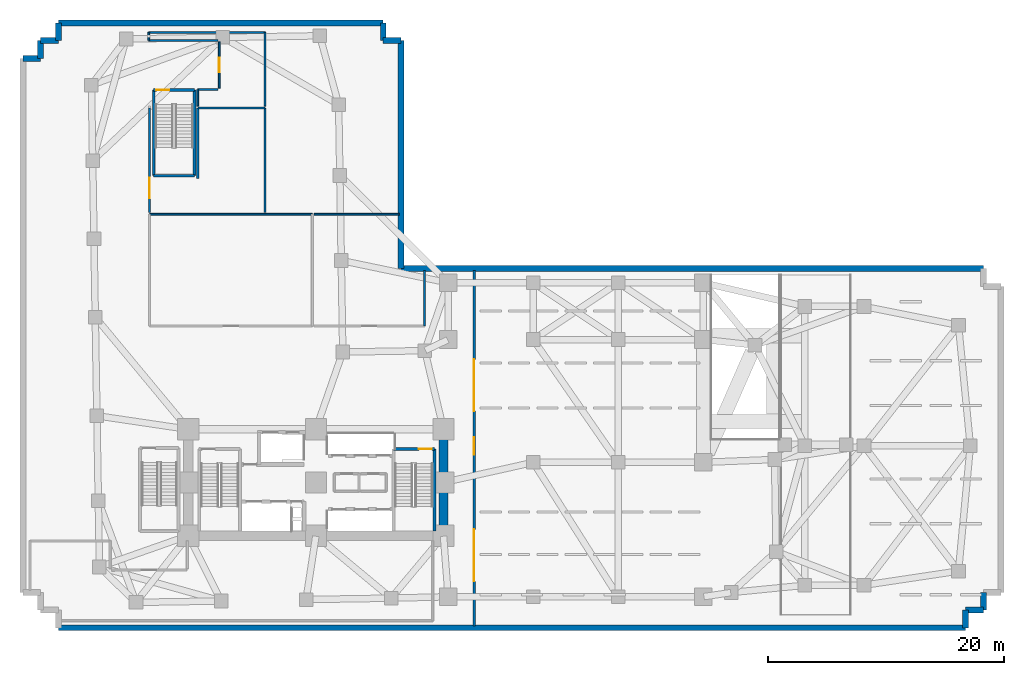
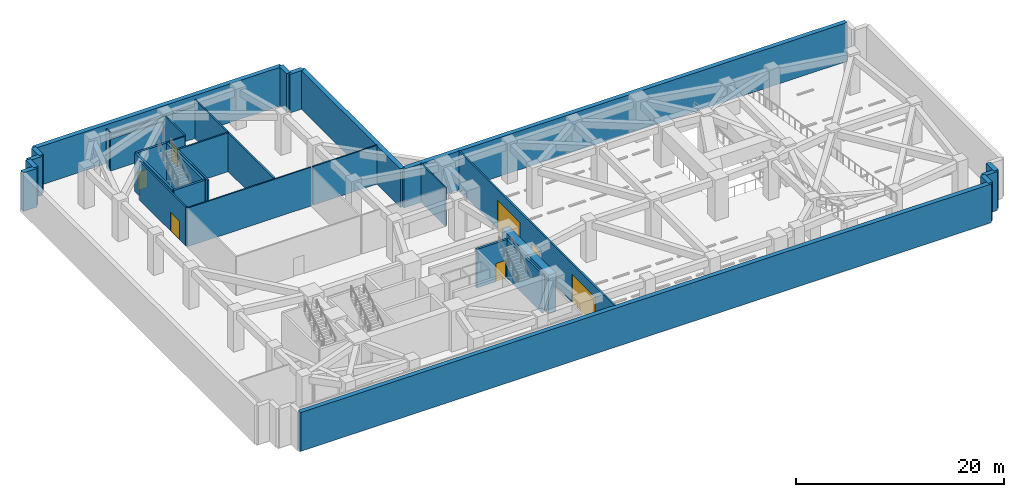
# One storey, part 6 of 11: 35 walls, 7 doors, 7 openings.
"""IFC4 building model written with IfcOpenShell, lengths in metres."""

from ifc_helpers import new_model, si_unit, direction, frame, frame_2d, origin, place, context, subcontext, project, spatial, rectangle, extrude, material, layer, layer_set, type_object, element, fill, save


model = new_model("IFC4")

# Units and contexts
model_context = context("Model", 3, precision=1e-05, world=origin(), true_north=direction((0.0, 1.0)))
body_context = subcontext(model_context, "Body", "Model", "MODEL_VIEW")
ifc_project = project(units=[si_unit("LENGTHUNIT", "METRE"), si_unit("AREAUNIT", "SQUARE_METRE"), si_unit("VOLUMEUNIT", "CUBIC_METRE"), si_unit("PLANEANGLEUNIT", "RADIAN"), si_unit("MASSUNIT", "GRAM", prefix="KILO")], contexts=[model_context])

# Site, building, storey
site_placement = place(None, origin())
site = spatial("IfcSite", under=ifc_project, at=site_placement, CompositionType="ELEMENT")
building_placement = place(site_placement, origin())
building = spatial("IfcBuilding", under=site, at=building_placement, Name="Gaonmaruhae Medical Tower", CompositionType="ELEMENT")
storey_placement = place(building_placement, frame((0.0, 0.0, -4.800048828125)))
storey = spatial("IfcBuildingStorey", under=building, at=storey_placement, Name="B01", CompositionType="ELEMENT", Elevation=-4.800048828125)

# Walls
ifc_material_1 = material(Name="Concrete C60/75", Category="concrete")
ifc_layer_1 = layer(ifc_material_1, 0.800048828125)
ifc_layer_set_1 = layer_set([ifc_layer_1], Name="Concrete C60/75")
wall_type_1 = type_object("IfcWallType", Name="CW-800 Lower Core Shear Wall", PredefinedType="SHEAR", material=ifc_layer_set_1)
wall_1_placement = place(storey_placement, frame((35.60009765625, 7.800048828125, 0.0), z_axis=(0.0, 0.0, 1.0), x_axis=(0.0, 1.0, 0.0)))
element("IfcWall", 1, at=wall_1_placement, inside=storey, type_object=wall_type_1, Name="B01 Core Shear Wall CSW-E1", PredefinedType="SHEAR", context=body_context, shape_type="SweptSolid", body=[
    extrude(rectangle(XDim=9.0, YDim=0.800048828125, at=frame_2d((4.5, 0.0))), origin(), (0.0, 0.0, 1.0), 4.550048828125),
])
ifc_material_2 = material(Name="Gypsum board partition", Category="gypsum")
ifc_layer_2 = layer(ifc_material_2, 0.14990234375)
ifc_layer_set_2 = layer_set([ifc_layer_2], Name="Gypsum board partition")
wall_type_2 = type_object("IfcWallType", Name="PW-150 Rated Clinical Corridor Partition", PredefinedType="PARTITIONING", material=ifc_layer_set_2)
wall_2_placement = place(storey_placement, frame((10.719970703125, 35.0, 0.0), z_axis=(0.0, 0.0, 1.0), x_axis=(1.0, 0.0, 0.0)))
element("IfcWall", 2, at=wall_2_placement, inside=storey, type_object=wall_type_2, Name="B01 Interior Partition B01-CSSD-11", PredefinedType="PARTITIONING", context=body_context, shape_type="SweptSolid", body=[
    extrude(rectangle(XDim=13.780029296875, YDim=0.14990234375, at=frame_2d((6.89013671875, 0.0))), origin(), (0.0, 0.0, 1.0), 4.550048828125),
])
wall_3_placement = place(storey_placement, frame((34.0, 30.239990234375, 0.0), z_axis=(0.0, 0.0, 1.0), x_axis=(0.0, -1.0, 0.0)))
element("IfcWall", 3, at=wall_3_placement, inside=storey, type_object=wall_type_2, Name="B01 Interior Partition B01-PHRM-12", PredefinedType="PARTITIONING", context=body_context, shape_type="SweptSolid", body=[
    extrude(rectangle(XDim=4.68994140625, YDim=0.14990234375, at=frame_2d((2.344970703125, 0.0))), origin(), (0.0, 0.0, 1.0), 4.550048828125),
])
wall_4_placement = place(storey_placement, frame((24.64990234375, 35.0, 0.0), z_axis=(0.0, 0.0, 1.0), x_axis=(1.0, 0.0, 0.0)))
element("IfcWall", 4, at=wall_4_placement, inside=storey, type_object=wall_type_2, Name="B01 Interior Partition B01-PHRM-14", PredefinedType="PARTITIONING", context=body_context, shape_type="SweptSolid", body=[
    extrude(rectangle(XDim=7.190185546875, YDim=0.14990234375, at=frame_2d((3.59521484375, 0.0))), origin(), (0.0, 0.0, 1.0), 4.550048828125),
])

# Wall, opening, door
wall_5_placement = place(storey_placement, frame((16.6201171875, 45.679931640625, 0.0), z_axis=(0.0, 0.0, 1.0), x_axis=(0.0, 1.0, 0.0)))
wall_5 = element("IfcWall", 5, at=wall_5_placement, inside=storey, type_object=wall_type_2, Name="B01 Interior Partition B01-MORG-19", PredefinedType="PARTITIONING", context=body_context, shape_type="SweptSolid", body=[
    extrude(rectangle(XDim=3.920166015625, YDim=0.14990234375, at=frame_2d((1.9599609375, 0.0))), origin(), (0.0, 0.0, 1.0), 4.550048828125),
])
opening_1_placement = place(wall_5_placement, frame((1.360107421875, 0.0, 0.0)))
opening_1 = element("IfcOpeningElement", 6, at=opening_1_placement, cuts=wall_5, Name="Opening CD-02", PredefinedType="OPENING", context=body_context, shape_type="SweptSolid", body=[
    extrude(rectangle(XDim=1.199951171875, YDim=2.14990234375, at=frame_2d((0.60009765625, 1.074951171875))), frame((0.0, 0.0849609375, 0.0), z_axis=(0.0, -1.0, 0.0), x_axis=(1.0, 0.0, 0.0)), (0.0, 0.0, 1.0), 0.169921875),
])
ifc_material_3 = material(Name="Antimicrobial laminate timber fire door", Category="wood")
door_type_1 = type_object("IfcDoorType", Name="CD-02 Clinical Treatment & Procedure Door 1200x2150", OperationType="NOTDEFINED", PredefinedType="DOOR", material=ifc_material_3)
door_1_placement = place(opening_1_placement, origin())
door_1 = element("IfcDoor", 7, at=door_1_placement, inside=storey, type_object=door_type_1, Name="B01 Hospital Pathology Support Department Door", OperationType="SINGLE_SWING_LEFT", OverallHeight=2.14990234375, OverallWidth=1.199951171875, PredefinedType="DOOR", context=body_context, shape_type="SweptSolid", body=[
    extrude(rectangle(XDim=1.199951171875, YDim=2.14990234375, at=frame_2d((0.60009765625, 1.074951171875))), frame((0.0, 0.02490234375, 0.0), z_axis=(0.0, -1.0, 0.0), x_axis=(1.0, 0.0, 0.0)), (0.0, 0.0, 1.0), 0.050048828125),
])
fill(opening_1, door_1)

# Walls
wall_6_placement = place(storey_placement, frame((16.5, 49.719970703125, 0.0), z_axis=(0.0, 0.0, 1.0), x_axis=(-1.0, 0.0, 0.0)))
element("IfcWall", 8, at=wall_6_placement, inside=storey, type_object=wall_type_2, Name="B01 Interior Partition B01-MORG-20", PredefinedType="PARTITIONING", context=body_context, shape_type="SweptSolid", body=[
    extrude(rectangle(XDim=5.85009765625, YDim=0.14990234375, at=frame_2d((2.925048828125, 0.0))), origin(), (0.0, 0.0, 1.0), 3.735107421875),
])
wall_7_placement = place(storey_placement, frame((10.64990234375, 49.719970703125, 0.0), z_axis=(0.0, 0.0, 1.0), x_axis=(0.0, 1.0, 0.0)))
element("IfcWall", 9, at=wall_7_placement, inside=storey, type_object=wall_type_2, Name="B01 Interior Partition B01-MORG-21", PredefinedType="PARTITIONING", context=body_context, shape_type="SweptSolid", body=[
    extrude(rectangle(XDim=0.679931640625, YDim=0.14990234375, at=frame_2d((0.33984375, 0.0))), origin(), (0.0, 0.0, 1.0), 4.550048828125),
])
wall_8_placement = place(storey_placement, frame((10.64990234375, 50.39990234375, 0.0), z_axis=(0.0, 0.0, 1.0), x_axis=(1.0, 0.0, 0.0)))
element("IfcWall", 10, at=wall_8_placement, inside=storey, type_object=wall_type_2, Name="B01 Interior Partition B01-MORG-22", PredefinedType="PARTITIONING", context=body_context, shape_type="SweptSolid", body=[
    extrude(rectangle(XDim=9.85009765625, YDim=0.14990234375, at=frame_2d((4.925048828125, 0.0))), origin(), (0.0, 0.0, 1.0), 3.735107421875),
])
wall_9_placement = place(storey_placement, frame((20.5, 50.39990234375, 0.0), z_axis=(0.0, 0.0, 1.0), x_axis=(0.0, -1.0, 0.0)))
element("IfcWall", 11, at=wall_9_placement, inside=storey, type_object=wall_type_2, Name="B01 Interior Partition B01-MORG-23", PredefinedType="PARTITIONING", context=body_context, shape_type="SweptSolid", body=[
    extrude(rectangle(XDim=6.25, YDim=0.14990234375, at=frame_2d((3.125, 0.0))), origin(), (0.0, 0.0, 1.0), 4.550048828125),
])
wall_10_placement = place(storey_placement, frame((14.800048828125, 44.14990234375, 0.0), z_axis=(0.0, 0.0, 1.0), x_axis=(0.0, 1.0, 0.0)))
element("IfcWall", 12, at=wall_10_placement, inside=storey, type_object=wall_type_2, Name="B01 Interior Partition B01-MORG-24", PredefinedType="PARTITIONING", context=body_context, shape_type="SweptSolid", body=[
    extrude(rectangle(XDim=1.41015625, YDim=0.14990234375, at=frame_2d((0.705078125, 0.0))), origin(), (0.0, 0.0, 1.0), 4.550048828125),
])
wall_11_placement = place(storey_placement, frame((14.800048828125, 45.56005859375, 0.0), z_axis=(0.0, 0.0, 1.0), x_axis=(1.0, 0.0, 0.0)))
element("IfcWall", 13, at=wall_11_placement, inside=storey, type_object=wall_type_2, Name="B01 Interior Partition B01-MORG-25", PredefinedType="PARTITIONING", context=body_context, shape_type="SweptSolid", body=[
    extrude(rectangle(XDim=1.699951171875, YDim=0.14990234375, at=frame_2d((0.85009765625, 0.0))), origin(), (0.0, 0.0, 1.0), 4.550048828125),
])

# Wall, openings, doors
ifc_layer_3 = layer(ifc_material_2, 0.179931640625)
ifc_layer_set_3 = layer_set([ifc_layer_3], Name="Gypsum board partition")
wall_type_3 = type_object("IfcWallType", Name="PW-180 Refuge & Plant Acoustic Fire Partition", PredefinedType="PARTITIONING", material=ifc_layer_set_3)
wall_12_placement = place(storey_placement, frame((38.199951171875, 0.159912109375, 0.0), z_axis=(0.0, 0.0, 1.0), x_axis=(0.0, 1.0, 0.0)))
wall_12 = element("IfcWall", 14, at=wall_12_placement, inside=storey, type_object=wall_type_3, Name="B01 Car Park Fire Compartment Wall", PredefinedType="PARTITIONING", context=body_context, shape_type="SweptSolid", body=[
    extrude(rectangle(XDim=30.080078125, YDim=0.179931640625, at=frame_2d((15.0400390625, 0.0))), origin(), (0.0, 0.0, 1.0), 4.550048828125),
])
opening_2_placement = place(wall_12_placement, frame((18.169921875, 0.0, 0.0)))
opening_2 = element("IfcOpeningElement", 15, at=opening_2_placement, cuts=wall_12, Name="Opening GT-03", PredefinedType="OPENING", context=body_context, shape_type="SweptSolid", body=[
    extrude(rectangle(XDim=4.39990234375, YDim=3.300048828125, at=frame_2d((2.199951171875, 1.64990234375))), frame((0.0, 0.10009765625, 0.0), z_axis=(0.0, -1.0, 0.0), x_axis=(1.0, 0.0, 0.0)), (0.0, 0.0, 1.0), 0.199951171875),
])
opening_3_placement = place(wall_12_placement, frame((14.469970703125, 0.0, 0.0)))
opening_3 = element("IfcOpeningElement", 16, at=opening_3_placement, cuts=wall_12, Name="Opening FD-03", PredefinedType="OPENING", context=body_context, shape_type="SweptSolid", body=[
    extrude(rectangle(XDim=1.5, YDim=2.199951171875, at=frame_2d((0.75, 1.10009765625))), frame((0.0, 0.10009765625, 0.0), z_axis=(0.0, -1.0, 0.0), x_axis=(1.0, 0.0, 0.0)), (0.0, 0.0, 1.0), 0.199951171875),
])
opening_4_placement = place(wall_12_placement, frame((3.77001953125, 0.0, 0.0)))
opening_4 = element("IfcOpeningElement", 17, at=opening_4_placement, cuts=wall_12, Name="Opening GT-03", PredefinedType="OPENING", context=body_context, shape_type="SweptSolid", body=[
    extrude(rectangle(XDim=4.39990234375, YDim=3.300048828125, at=frame_2d((2.199951171875, 1.64990234375))), frame((0.0, 0.10009765625, 0.0), z_axis=(0.0, -1.0, 0.0), x_axis=(1.0, 0.0, 0.0)), (0.0, 0.0, 1.0), 0.199951171875),
])
ifc_material_4 = material(Name="Powder-coated steel fire door", Category="steel")
door_type_2 = type_object("IfcDoorType", Name="FD-03 Compartment Corridor Double Fire Door 1500x2200", OperationType="NOTDEFINED", PredefinedType="DOOR", material=ifc_material_4)
door_2_placement = place(opening_3_placement, origin())
door_2 = element("IfcDoor", 18, at=door_2_placement, inside=storey, type_object=door_type_2, Name="B01 Car Park Pedestrian Exit Door", OperationType="DOUBLE_DOOR_SINGLE_SWING", OverallHeight=2.199951171875, OverallWidth=1.5, PredefinedType="DOOR", context=body_context, shape_type="SweptSolid", body=[
    extrude(rectangle(XDim=1.5, YDim=2.199951171875, at=frame_2d((0.75, 1.10009765625))), frame((0.0, 0.02490234375, 0.0), z_axis=(0.0, -1.0, 0.0), x_axis=(1.0, 0.0, 0.0)), (0.0, 0.0, 1.0), 0.050048828125),
])
fill(opening_3, door_2)
ifc_material_5 = material(Name="Insulated galvanised steel shutter", Category="steel")
door_type_3 = type_object("IfcDoorType", Name="GT-03 Basement Car Park Fire Shutter Gate 4400x3300", OperationType="NOTDEFINED", PredefinedType="GATE", material=ifc_material_5)
door_3_placement = place(opening_2_placement, origin())
door_3 = element("IfcDoor", 19, at=door_3_placement, inside=storey, type_object=door_type_3, Name="B01 Car Park Fire Compartment Roller Gate", OperationType="ROLLINGUP", OverallHeight=3.300048828125, OverallWidth=4.39990234375, PredefinedType="GATE", context=body_context, shape_type="SweptSolid", body=[
    extrude(rectangle(XDim=4.39990234375, YDim=3.300048828125, at=frame_2d((2.199951171875, 1.64990234375))), frame((0.0, 0.02490234375, 0.0), z_axis=(0.0, -1.0, 0.0), x_axis=(1.0, 0.0, 0.0)), (0.0, 0.0, 1.0), 0.050048828125),
])
fill(opening_2, door_3)
door_4_placement = place(opening_4_placement, origin())
door_4 = element("IfcDoor", 20, at=door_4_placement, inside=storey, type_object=door_type_3, Name="B01 South Car Park Fire Shutter Gate", OperationType="ROLLINGUP", OverallHeight=3.300048828125, OverallWidth=4.39990234375, PredefinedType="GATE", context=body_context, shape_type="SweptSolid", body=[
    extrude(rectangle(XDim=4.39990234375, YDim=3.300048828125, at=frame_2d((2.199951171875, 1.64990234375))), frame((0.0, 0.02490234375, 0.0), z_axis=(0.0, -1.0, 0.0), x_axis=(1.0, 0.0, 0.0)), (0.0, 0.0, 1.0), 0.050048828125),
])
fill(opening_4, door_4)

# Walls
wall_13_placement = place(storey_placement, frame((14.800048828125, 38.050048828125, 0.0), z_axis=(0.0, 0.0, 1.0), x_axis=(0.0, 1.0, 0.0)))
element("IfcWall", 21, at=wall_13_placement, inside=storey, type_object=wall_type_3, Name="B01 Interior Partition B01-SUBS-15", PredefinedType="PARTITIONING", context=body_context, shape_type="SweptSolid", body=[
    extrude(rectangle(XDim=5.949951171875, YDim=0.179931640625, at=frame_2d((2.97509765625, 0.0))), origin(), (0.0, 0.0, 1.0), 4.550048828125),
])
wall_14_placement = place(storey_placement, frame((14.800048828125, 44.0, 0.0), z_axis=(0.0, 0.0, 1.0), x_axis=(1.0, 0.0, 0.0)))
element("IfcWall", 22, at=wall_14_placement, inside=storey, type_object=wall_type_3, Name="B01 Interior Partition B01-SUBS-16", PredefinedType="PARTITIONING", context=body_context, shape_type="SweptSolid", body=[
    extrude(rectangle(XDim=5.699951171875, YDim=0.179931640625, at=frame_2d((2.85009765625, 0.0))), origin(), (0.0, 0.0, 1.0), 4.550048828125),
])
wall_15_placement = place(storey_placement, frame((20.5, 44.0, 0.0), z_axis=(0.0, 0.0, 1.0), x_axis=(0.0, -1.0, 0.0)))
element("IfcWall", 23, at=wall_15_placement, inside=storey, type_object=wall_type_3, Name="B01 Interior Partition B01-SUBS-17", PredefinedType="PARTITIONING", context=body_context, shape_type="SweptSolid", body=[
    extrude(rectangle(XDim=8.85009765625, YDim=0.179931640625, at=frame_2d((4.425048828125, 0.0))), origin(), (0.0, 0.0, 1.0), 4.550048828125),
])

# Wall, opening, door
wall_16_placement = place(storey_placement, frame((10.719970703125, 35.14990234375, 0.0), z_axis=(0.0, 0.0, 1.0), x_axis=(0.0, 1.0, 0.0)))
wall_16 = element("IfcWall", 24, at=wall_16_placement, inside=storey, type_object=wall_type_3, Name="B01 Interior Partition B01-SUBS-18", PredefinedType="PARTITIONING", context=body_context, shape_type="SweptSolid", body=[
    extrude(rectangle(XDim=8.85009765625, YDim=0.179931640625, at=frame_2d((4.425048828125, 0.0))), origin(), (0.0, 0.0, 1.0), 4.550048828125),
])
opening_5_placement = place(wall_16_placement, frame((1.195556640625, 0.0, 0.0)))
opening_5 = element("IfcOpeningElement", 25, at=opening_5_placement, cuts=wall_16, Name="Opening PD-01", PredefinedType="OPENING", context=body_context, shape_type="SweptSolid", body=[
    extrude(rectangle(XDim=1.75, YDim=2.199951171875, at=frame_2d((0.875, 1.10009765625))), frame((0.0, 0.10009765625, 0.0), z_axis=(0.0, -1.0, 0.0), x_axis=(1.0, 0.0, 0.0)), (0.0, 0.0, 1.0), 0.199951171875),
])
ifc_material_6 = material(Name="Acoustic galvanised steel plant door", Category="steel")
door_type_4 = type_object("IfcDoorType", Name="PD-01 Mechanical Plant Double Equipment Door 1750x2200", OperationType="NOTDEFINED", PredefinedType="DOOR", material=ifc_material_6)
door_5_placement = place(opening_5_placement, origin())
door_5 = element("IfcDoor", 26, at=door_5_placement, inside=storey, type_object=door_type_4, Name="B01 High-Voltage Electrical Substation and Switchroom Door", OperationType="DOUBLE_DOOR_SINGLE_SWING", OverallHeight=2.199951171875, OverallWidth=1.75, PredefinedType="DOOR", context=body_context, shape_type="SweptSolid", body=[
    extrude(rectangle(XDim=1.75, YDim=2.199951171875, at=frame_2d((0.875, 1.10009765625))), frame((0.0, 0.02490234375, 0.0), z_axis=(0.0, -1.0, 0.0), x_axis=(1.0, 0.0, 0.0)), (0.0, 0.0, 1.0), 0.050048828125),
])
fill(opening_5, door_5)

# Walls
ifc_material_7 = material(Name="Concrete C50/60", Category="concrete")
ifc_layer_4 = layer(ifc_material_7, 0.5)
ifc_layer_set_4 = layer_set([ifc_layer_4], Name="Concrete C50/60")
wall_type_4 = type_object("IfcWallType", Name="RW-500 Basement Perimeter Retaining Wall", PredefinedType="USERDEFINED", material=ifc_layer_set_4)
wall_17_placement = place(storey_placement, frame((79.800048828125, 0.0, 0.0), z_axis=(0.0, 0.0, 1.0), x_axis=(-1.0, 0.0, 0.0)))
element("IfcWall", 27, at=wall_17_placement, inside=storey, type_object=wall_type_4, Name="B01 Perimeter Retaining Wall RW01", ObjectType="RETAININGWALL", PredefinedType="USERDEFINED", context=body_context, shape_type="SweptSolid", body=[
    extrude(rectangle(XDim=76.800048828125, YDim=0.5, at=frame_2d((38.39990234375, 0.0))), origin(), (0.0, 0.0, 1.0), 4.550048828125),
])
for number, where, z_axis, x_axis, name in (
    (28, (79.800048828125, 1.5, 0.0), (0.0, 0.0, 1.0), (0.0, -1.0, 0.0), "B01 Perimeter Retaining Wall RW02"),
    (29, (81.300048828125, 1.5, 0.0), (0.0, 0.0, 1.0), (-1.0, 0.0, 0.0), "B01 Perimeter Retaining Wall RW03"),
    (30, (81.300048828125, 3.0, 0.0), (0.0, 0.0, 1.0), (0.0, -1.0, 0.0), "B01 Perimeter Retaining Wall RW04"),
):
    element("IfcWall", number, at=place(storey_placement, frame(where, z_axis=z_axis, x_axis=x_axis)), inside=storey, type_object=wall_type_4, Name=name, ObjectType="RETAININGWALL", PredefinedType="USERDEFINED", context=body_context, shape_type="SweptSolid", body=[
        extrude(rectangle(XDim=1.5, YDim=0.5, at=frame_2d((0.75, 0.0))), origin(), (0.0, 0.0, 1.0), 4.550048828125),
    ])
wall_18_placement = place(storey_placement, frame((32.0, 30.39990234375, 0.0), z_axis=(0.0, 0.0, 1.0), x_axis=(1.0, 0.0, 0.0)))
element("IfcWall", 31, at=wall_18_placement, inside=storey, type_object=wall_type_4, Name="B01 Perimeter Retaining Wall RW09", ObjectType="RETAININGWALL", PredefinedType="USERDEFINED", context=body_context, shape_type="SweptSolid", body=[
    extrude(rectangle(XDim=49.300048828125, YDim=0.5, at=frame_2d((24.64990234375, 0.0))), origin(), (0.0, 0.0, 1.0), 4.550048828125),
])
wall_19_placement = place(storey_placement, frame((32.0, 30.39990234375, 0.0), z_axis=(0.0, 0.0, 1.0), x_axis=(0.0, 1.0, 0.0)))
element("IfcWall", 32, at=wall_19_placement, inside=storey, type_object=wall_type_4, Name="B01 Perimeter Retaining Wall RW10", ObjectType="RETAININGWALL", PredefinedType="USERDEFINED", context=body_context, shape_type="SweptSolid", body=[
    extrude(rectangle(XDim=19.300048828125, YDim=0.5, at=frame_2d((9.64990234375, 0.0))), origin(), (0.0, 0.0, 1.0), 4.550048828125),
])
for number, where, z_axis, x_axis, name in (
    (33, (30.5, 49.699951171875, 0.0), (0.0, 0.0, 1.0), (1.0, 0.0, 0.0), "B01 Perimeter Retaining Wall RW11"),
    (34, (30.5, 49.699951171875, 0.0), (0.0, 0.0, 1.0), (0.0, 1.0, 0.0), "B01 Perimeter Retaining Wall RW12"),
):
    element("IfcWall", number, at=place(storey_placement, frame(where, z_axis=z_axis, x_axis=x_axis)), inside=storey, type_object=wall_type_4, Name=name, ObjectType="RETAININGWALL", PredefinedType="USERDEFINED", context=body_context, shape_type="SweptSolid", body=[
        extrude(rectangle(XDim=1.5, YDim=0.5, at=frame_2d((0.75, 0.0))), origin(), (0.0, 0.0, 1.0), 4.550048828125),
    ])
wall_20_placement = place(storey_placement, frame((3.0, 51.199951171875, 0.0), z_axis=(0.0, 0.0, 1.0), x_axis=(1.0, 0.0, 0.0)))
element("IfcWall", 35, at=wall_20_placement, inside=storey, type_object=wall_type_4, Name="B01 Perimeter Retaining Wall RW13", ObjectType="RETAININGWALL", PredefinedType="USERDEFINED", context=body_context, shape_type="SweptSolid", body=[
    extrude(rectangle(XDim=27.5, YDim=0.5, at=frame_2d((13.75, 0.0))), origin(), (0.0, 0.0, 1.0), 4.550048828125),
])
for number, where, z_axis, x_axis, name in (
    (36, (3.0, 49.699951171875, 0.0), (0.0, 0.0, 1.0), (0.0, 1.0, 0.0), "B01 Perimeter Retaining Wall RW14"),
    (37, (1.5, 49.699951171875, 0.0), (0.0, 0.0, 1.0), (1.0, 0.0, 0.0), "B01 Perimeter Retaining Wall RW15"),
    (38, (1.5, 48.199951171875, 0.0), (0.0, 0.0, 1.0), (0.0, 1.0, 0.0), "B01 Perimeter Retaining Wall RW16"),
    (39, (0.0, 48.199951171875, 0.0), (0.0, 0.0, 1.0), (1.0, 0.0, 0.0), "B01 Perimeter Retaining Wall RW17"),
):
    element("IfcWall", number, at=place(storey_placement, frame(where, z_axis=z_axis, x_axis=x_axis)), inside=storey, type_object=wall_type_4, Name=name, ObjectType="RETAININGWALL", PredefinedType="USERDEFINED", context=body_context, shape_type="SweptSolid", body=[
        extrude(rectangle(XDim=1.5, YDim=0.5, at=frame_2d((0.75, 0.0))), origin(), (0.0, 0.0, 1.0), 4.550048828125),
    ])

# Wall, opening, door
ifc_layer_5 = layer(ifc_material_7, 0.239990234375)
ifc_layer_set_5 = layer_set([ifc_layer_5], Name="Concrete C50/60")
wall_type_5 = type_object("IfcWallType", Name="SW-240 Dogleg Stair Tight Shaft Wall", PredefinedType="SOLIDWALL", material=ifc_layer_set_5)
wall_21_placement = place(storey_placement, frame((31.3701171875, 15.1201171875, 0.0), z_axis=(0.0, 0.0, 1.0), x_axis=(1.0, 0.0, 0.0)))
wall_21 = element("IfcWall", 40, at=wall_21_placement, inside=storey, type_object=wall_type_5, Name="B01 ST-02 Stair Shaft Wall SHW-ST-02-N", PredefinedType="SOLIDWALL", context=body_context, shape_type="SweptSolid", body=[
    extrude(rectangle(XDim=3.4599609375, YDim=0.239990234375, at=frame_2d((1.72998046875, 0.0))), origin(), (0.0, 0.0, 1.0), 4.550048828125),
])
opening_6_placement = place(wall_21_placement, frame((2.139892578125, 0.0, 0.0)))
opening_6 = element("IfcOpeningElement", 41, at=opening_6_placement, cuts=wall_21, Name="Opening FD-01", PredefinedType="OPENING", context=body_context, shape_type="SweptSolid", body=[
    extrude(rectangle(XDim=1.10009765625, YDim=2.14990234375, at=frame_2d((0.550048828125, 1.074951171875))), frame((0.0, 0.1298828125, 0.0), z_axis=(0.0, -1.0, 0.0), x_axis=(1.0, 0.0, 0.0)), (0.0, 0.0, 1.0), 0.260009765625),
])
door_type_5 = type_object("IfcDoorType", Name="FD-01 Escape Stair Protected Fire Door 1100x2150", OperationType="NOTDEFINED", PredefinedType="DOOR", material=ifc_material_4)
door_6_placement = place(opening_6_placement, origin())
door_6 = element("IfcDoor", 42, at=door_6_placement, inside=storey, type_object=door_type_5, Name="B01 ST-02 Protected Escape Stair Door", OperationType="SINGLE_SWING_LEFT", OverallHeight=2.14990234375, OverallWidth=1.10009765625, PredefinedType="DOOR", context=body_context, shape_type="SweptSolid", body=[
    extrude(rectangle(XDim=1.10009765625, YDim=2.14990234375, at=frame_2d((0.550048828125, 1.074951171875))), frame((0.0, 0.02490234375, 0.0), z_axis=(0.0, -1.0, 0.0), x_axis=(1.0, 0.0, 0.0)), (0.0, 0.0, 1.0), 0.050048828125),
])
fill(opening_6, door_6)

# Wall
wall_22_placement = place(storey_placement, frame((34.830078125, 15.1201171875, 0.0), z_axis=(0.0, 0.0, 1.0), x_axis=(0.0, -1.0, 0.0)))
element("IfcWall", 43, at=wall_22_placement, inside=storey, type_object=wall_type_5, Name="B01 ST-02 Stair Shaft Wall SHW-ST-02-E", PredefinedType="SOLIDWALL", context=body_context, shape_type="SweptSolid", body=[
    extrude(rectangle(XDim=6.920166015625, YDim=0.239990234375, at=frame_2d((3.4599609375, 0.0))), origin(), (0.0, 0.0, 1.0), 4.550048828125),
])

# Wall, opening, door
wall_23_placement = place(storey_placement, frame((11.070068359375, 45.52001953125, 0.0), z_axis=(0.0, 0.0, 1.0), x_axis=(1.0, 0.0, 0.0)))
wall_23 = element("IfcWall", 44, at=wall_23_placement, inside=storey, type_object=wall_type_5, Name="B01 ST-05 Stair Shaft Wall SHW-ST-05-N", PredefinedType="SOLIDWALL", context=body_context, shape_type="SweptSolid", body=[
    extrude(rectangle(XDim=3.4599609375, YDim=0.239990234375, at=frame_2d((1.72998046875, 0.0))), origin(), (0.0, 0.0, 1.0), 4.550048828125),
])
opening_7_placement = place(wall_23_placement, frame((0.219970703125, 0.0, 0.0)))
opening_7 = element("IfcOpeningElement", 45, at=opening_7_placement, cuts=wall_23, Name="Opening FD-01", PredefinedType="OPENING", context=body_context, shape_type="SweptSolid", body=[
    extrude(rectangle(XDim=1.10009765625, YDim=2.14990234375, at=frame_2d((0.550048828125, 1.074951171875))), frame((0.0, 0.1298828125, 0.0), z_axis=(0.0, -1.0, 0.0), x_axis=(1.0, 0.0, 0.0)), (0.0, 0.0, 1.0), 0.260009765625),
])
door_7_placement = place(opening_7_placement, origin())
door_7 = element("IfcDoor", 46, at=door_7_placement, inside=storey, type_object=door_type_5, Name="B01 ST-05 Protected Escape Stair Door", OperationType="SINGLE_SWING_LEFT", OverallHeight=2.14990234375, OverallWidth=1.10009765625, PredefinedType="DOOR", context=body_context, shape_type="SweptSolid", body=[
    extrude(rectangle(XDim=1.10009765625, YDim=2.14990234375, at=frame_2d((0.550048828125, 1.074951171875))), frame((0.0, 0.02490234375, 0.0), z_axis=(0.0, -1.0, 0.0), x_axis=(1.0, 0.0, 0.0)), (0.0, 0.0, 1.0), 0.050048828125),
])
fill(opening_7, door_7)

# Walls
wall_24_placement = place(storey_placement, frame((14.530029296875, 45.52001953125, 0.0), z_axis=(0.0, 0.0, 1.0), x_axis=(0.0, -1.0, 0.0)))
element("IfcWall", 47, at=wall_24_placement, inside=storey, type_object=wall_type_5, Name="B01 ST-05 Stair Shaft Wall SHW-ST-05-E", PredefinedType="SOLIDWALL", context=body_context, shape_type="SweptSolid", body=[
    extrude(rectangle(XDim=7.25, YDim=0.239990234375, at=frame_2d((3.625, 0.0))), origin(), (0.0, 0.0, 1.0), 4.550048828125),
])
wall_25_placement = place(storey_placement, frame((14.530029296875, 38.27001953125, 0.0), z_axis=(0.0, 0.0, 1.0), x_axis=(-1.0, 0.0, 0.0)))
element("IfcWall", 48, at=wall_25_placement, inside=storey, type_object=wall_type_5, Name="B01 ST-05 Stair Shaft Wall SHW-ST-05-S", PredefinedType="SOLIDWALL", context=body_context, shape_type="SweptSolid", body=[
    extrude(rectangle(XDim=3.4599609375, YDim=0.239990234375, at=frame_2d((1.72998046875, 0.0))), origin(), (0.0, 0.0, 1.0), 4.550048828125),
])
wall_26_placement = place(storey_placement, frame((11.070068359375, 38.27001953125, 0.0), z_axis=(0.0, 0.0, 1.0), x_axis=(0.0, 1.0, 0.0)))
element("IfcWall", 49, at=wall_26_placement, inside=storey, type_object=wall_type_5, Name="B01 ST-05 Stair Shaft Wall SHW-ST-05-W", PredefinedType="SOLIDWALL", context=body_context, shape_type="SweptSolid", body=[
    extrude(rectangle(XDim=7.25, YDim=0.239990234375, at=frame_2d((3.625, 0.0))), origin(), (0.0, 0.0, 1.0), 4.550048828125),
])

save(model, "model.ifc")
